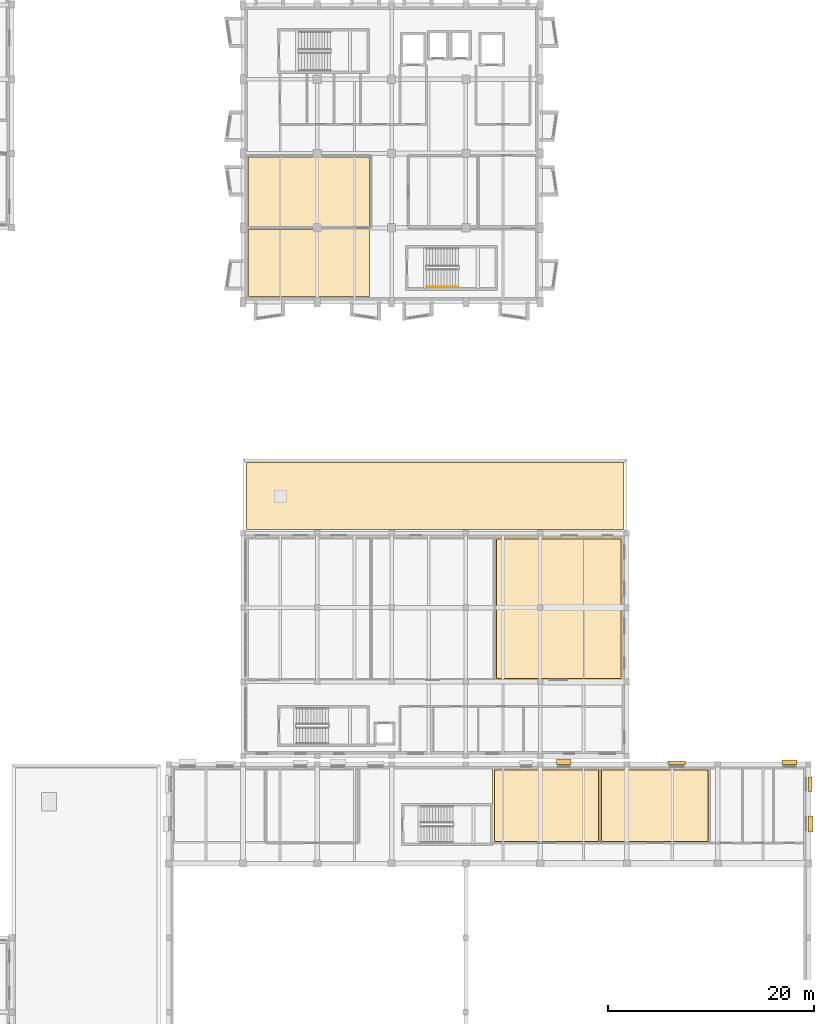
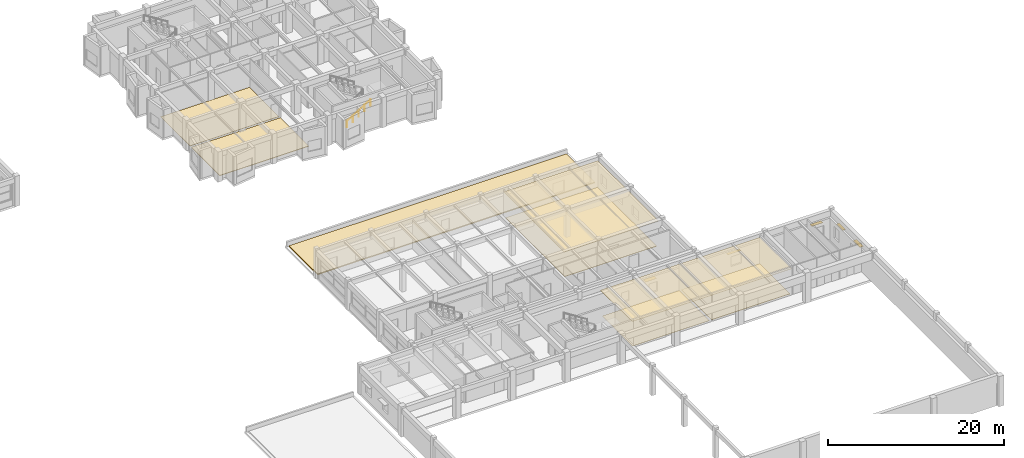
# One storey, part 66 of 67: 9 coverings, 5 shading devices, 1 railing.
"""IFC4 building model written with IfcOpenShell, lengths in metres."""

import ifcopenshell
import ifcopenshell.guid

model = None  # the IFC model being written
_history = None  # IfcOwnerHistory: only IFC2X3 demands one
_inside = {}  # id of a spatial element -> (the spatial element, [elements in it])
_under = {}  # id of a project, library or spatial element -> (it, [spatial elements below it])
_declared = {}  # id of a project -> (the project, [libraries it declares])
_typed = {}  # id of a type object -> (the type object, [elements of that type])
_made_of = {}  # id of a material, layer set ... -> (it, [elements and type objects made of it])


def new_model(schema):
    """Start an empty IFC model of exactly this schema.

    Asked for "IFC4X3", IfcOpenShell would pick the latest addendum, in which some entities
    have other attributes; the version numbers below select the first issue.
    IFC2X3 requires an IfcOwnerHistory on every rooted entity: one is made here for all.
    """
    global model, _history
    if schema == "IFC4X3":
        model = ifcopenshell.file(schema_version=(4, 3, 0, 0))
    else:
        model = ifcopenshell.file(schema=schema)
    _inside.clear()
    _under.clear()
    _declared.clear()
    _typed.clear()
    _made_of.clear()
    _history = None
    if model.schema == "IFC2X3":
        org = make("IfcOrganization", Name="unknown")
        user = make(
            "IfcPersonAndOrganization",
            ThePerson=make("IfcPerson", FamilyName="unknown"),
            TheOrganization=org,
        )
        app = make(
            "IfcApplication",
            ApplicationDeveloper=org,
            Version="unknown",
            ApplicationFullName="unknown",
            ApplicationIdentifier="unknown",
        )
        _history = make(
            "IfcOwnerHistory",
            OwningUser=user,
            OwningApplication=app,
            ChangeAction="ADDED",
            CreationDate=0,
        )
    return model


def make(cls, **values):
    """One entity of the class cls with the attributes given. An attribute that is None is left unset."""
    return model.create_entity(
        cls, **{name: value for name, value in values.items() if value is not None}
    )


def rooted(cls, **values):
    """An entity with a GlobalId (a new one), such as an element, a storey or a relation."""
    return make(cls, GlobalId=ifcopenshell.guid.new(), OwnerHistory=_history, **values)


def si_unit(unit_type, name, prefix=None):
    """IfcSIUnit, for example si_unit("LENGTHUNIT", "METRE", prefix="MILLI")."""
    return make("IfcSIUnit", UnitType=unit_type, Prefix=prefix, Name=name)


def assignment(units):
    """IfcUnitAssignment: the units of a project."""
    return None if units is None else make("IfcUnitAssignment", Units=units)


def point(xyz):
    """IfcCartesianPoint."""
    return None if xyz is None else make("IfcCartesianPoint", Coordinates=xyz)


def direction(xyz):
    """IfcDirection."""
    return None if xyz is None else make("IfcDirection", DirectionRatios=xyz)


def frame(location, z_axis=None, x_axis=None):
    """IfcAxis2Placement3D, a coordinate frame: its origin and axes. An axis left out is left unset."""
    return make(
        "IfcAxis2Placement3D",
        Location=point(location),
        Axis=direction(z_axis),
        RefDirection=direction(x_axis),
    )


def frame_2d(location, x_axis=None):
    """IfcAxis2Placement2D, a coordinate frame in the plane: its origin and x axis."""
    return make(
        "IfcAxis2Placement2D", Location=point(location), RefDirection=direction(x_axis)
    )


def origin():
    """The frame at (0, 0, 0) with its axes left unset."""
    return frame((0.0, 0.0, 0.0))


def origin_2d():
    """The frame at (0, 0) in the plane with its x axis left unset."""
    return frame_2d((0.0, 0.0))


def place(relative_to, where):
    """IfcLocalPlacement: puts the frame where relative to a parent placement (None: the world)."""
    return make(
        "IfcLocalPlacement", PlacementRelTo=relative_to, RelativePlacement=where
    )


def context(
    kind, dimensions, precision=None, world=None, true_north=None, identifier=None
):
    """IfcGeometricRepresentationContext, for example the 3D "Model" context."""
    return make(
        "IfcGeometricRepresentationContext",
        ContextIdentifier=identifier,
        ContextType=kind,
        CoordinateSpaceDimension=dimensions,
        Precision=precision,
        WorldCoordinateSystem=world,
        TrueNorth=true_north,
    )


def subcontext(parent, identifier, kind, view, scale=None):
    """IfcGeometricRepresentationSubContext, for example "Body" below "Model"."""
    return make(
        "IfcGeometricRepresentationSubContext",
        ContextIdentifier=identifier,
        ContextType=kind,
        ParentContext=parent,
        TargetScale=scale,
        TargetView=view,
    )


def project(units=None, contexts=None):
    """IfcProject with its units and contexts."""
    return rooted(
        "IfcProject",
        Name="project",
        RepresentationContexts=contexts,
        UnitsInContext=assignment(units),
    )


def spatial(cls, under=None, at=None, **own):
    """A site, building, storey or space (cls), placed at a placement, below another one or the project."""
    s = rooted(cls, ObjectPlacement=at, **own)
    if under is not None:
        _under.setdefault(under.id(), (under, []))[1].append(s)
    return s


def polyline(points):
    """IfcPolyline through the points."""
    return make("IfcPolyline", Points=[point(p) for p in points])


def profile(cls, at=None, kind="AREA", **sizes):
    """A parametric profile (cls). Its sizes go by their IFC names, for example OverallWidth=200.0."""
    return make(cls, ProfileType=kind, Position=at, **sizes)


def rectangle(**sizes):
    """IfcRectangleProfileDef."""
    return profile("IfcRectangleProfileDef", **sizes)


def circle(**sizes):
    """IfcCircleProfileDef."""
    return profile("IfcCircleProfileDef", **sizes)


def outline(outer, holes=None, kind="AREA"):
    """IfcArbitraryClosedProfileDef: a profile drawn as a closed curve; with holes, ...WithVoids."""
    if holes is None:
        return make("IfcArbitraryClosedProfileDef", ProfileType=kind, OuterCurve=outer)
    return make(
        "IfcArbitraryProfileDefWithVoids",
        ProfileType=kind,
        OuterCurve=outer,
        InnerCurves=holes,
    )


def extrude(swept, where, along, depth):
    """IfcExtrudedAreaSolid: the profile swept, set in the frame where, extruded along a direction by depth."""
    return make(
        "IfcExtrudedAreaSolid",
        SweptArea=swept,
        Position=where,
        ExtrudedDirection=direction(along),
        Depth=depth,
    )


def shape(context_of_items, identifier, shape_type, items):
    """IfcShapeRepresentation: the items that make up one representation, for example the "Body"."""
    return make(
        "IfcShapeRepresentation",
        ContextOfItems=context_of_items,
        RepresentationIdentifier=identifier,
        RepresentationType=shape_type,
        Items=items,
    )


def material(Name=None, Category=None):
    """IfcMaterial."""
    return make("IfcMaterial", Name=Name, Category=Category)


def layer(
    of_material, thickness, ventilated=None, Name=None, Category=None, Priority=None
):
    """IfcMaterialLayer: one layer of a wall or slab, of a material (None: an air gap)."""
    return make(
        "IfcMaterialLayer",
        Material=of_material,
        LayerThickness=thickness,
        IsVentilated=ventilated,
        Name=Name,
        Category=Category,
        Priority=Priority,
    )


def layer_set(layers, Name=None):
    """IfcMaterialLayerSet."""
    return make("IfcMaterialLayerSet", MaterialLayers=layers, LayerSetName=Name)


def made_of(thing, what):
    """Note that an element or type object is made of a material, layer set ...; save() writes the relation."""
    if what is not None:
        _made_of.setdefault(what.id(), (what, []))[1].append(thing)
    return thing


def type_object(cls, material=None, **own):
    """A type object (cls), such as IfcWallType, which elements share."""
    return made_of(rooted(cls, **own), material)


def element(
    cls,
    number,
    at=None,
    inside=None,
    cuts=None,
    type_object=None,
    material=None,
    context=None,
    identifier="Body",
    shape_type=None,
    held_by="IfcProductDefinitionShape",
    body=None,
    shapes=None,
    **own,
):
    """One element of the class cls, such as IfcWall. Its Tag is "e" and its number.

    at: its placement. inside: the storey or other place that contains it. cuts: it is an
    opening in that element (IfcRelVoidsElement). A single representation is given by context,
    identifier, shape_type and body (its items); several are given by shapes. held_by: the class
    of the entity that holds the representations. save() writes the other relations.
    """
    e = rooted(cls, Tag="e%d" % number, ObjectPlacement=at, **own)
    if body is not None:
        shapes = [shape(context, identifier, shape_type, body)]
    if shapes is not None:
        e.Representation = make(held_by, Representations=shapes)
    if inside is not None:
        _inside.setdefault(inside.id(), (inside, []))[1].append(e)
    if cuts is not None:
        rooted(
            "IfcRelVoidsElement", RelatingBuildingElement=cuts, RelatedOpeningElement=e
        )
    if type_object is not None:
        _typed.setdefault(type_object.id(), (type_object, []))[1].append(e)
    return made_of(e, material)


def aggregate(whole, parts):
    """IfcRelAggregates: a whole, such as a stair, and the parts it consists of."""
    return rooted("IfcRelAggregates", RelatingObject=whole, RelatedObjects=parts)


def save(model, path):
    """Write the relations noted so far, then the file.

    IfcRelAggregates (storeys below a building ...), IfcRelContainedInSpatialStructure (elements
    in a storey), IfcRelDefinesByType, IfcRelAssociatesMaterial and IfcRelDeclares: one each for
    every whole, place, type object, material and project.
    """
    for whole, parts in _under.values():
        aggregate(whole, parts)
    for where, things in _inside.values():
        rooted(
            "IfcRelContainedInSpatialStructure",
            RelatedElements=things,
            RelatingStructure=where,
        )
    for kind, things in _typed.values():
        rooted("IfcRelDefinesByType", RelatedObjects=things, RelatingType=kind)
    for what, things in _made_of.values():
        rooted("IfcRelAssociatesMaterial", RelatedObjects=things, RelatingMaterial=what)
    for by, libraries in _declared.values():
        rooted("IfcRelDeclares", RelatingContext=by, RelatedDefinitions=libraries)
    model.write(path)


model = new_model("IFC4")

# Units and contexts
model_context = context("Model", 3, precision=1e-05, world=origin(), true_north=direction((0.0, 1.0)))
body_context = subcontext(model_context, "Body", "Model", "MODEL_VIEW")
ifc_project = project(units=[si_unit("LENGTHUNIT", "METRE"), si_unit("AREAUNIT", "SQUARE_METRE"), si_unit("VOLUMEUNIT", "CUBIC_METRE"), si_unit("PLANEANGLEUNIT", "RADIAN"), si_unit("MASSUNIT", "GRAM", prefix="KILO")], contexts=[model_context])

# Site, building, storey
site_placement = place(None, origin())
site = spatial("IfcSite", under=ifc_project, at=site_placement, CompositionType="ELEMENT")
building_placement = place(site_placement, origin())
building = spatial("IfcBuilding", under=site, at=building_placement, Name="Bramveld Media Centre", CompositionType="ELEMENT")
storey_placement = place(building_placement, frame((0.0, 0.0, 5.39990234375)))
storey = spatial("IfcBuildingStorey", under=building, at=storey_placement, Name="L01", CompositionType="ELEMENT", Elevation=5.39990234375)

# Coverings
ifc_material_1 = material(Name="Perforated acoustic mineral-fibre & oak-slat suspended ceiling")
ifc_layer_1 = layer(ifc_material_1, 0.044921875)
ifc_layer_set_1 = layer_set([ifc_layer_1], Name="Perforated acoustic mineral-fibre & oak-slat suspended ceiling")
covering_type_1 = type_object("IfcCoveringType", Name="COV-CEIL-01", PredefinedType="CEILING", material=ifc_layer_set_1)
covering_1_placement = place(storey_placement, frame((0.0, 0.0, 3.545166015625)))
element("IfcCovering", 1, at=covering_1_placement, inside=storey, type_object=covering_type_1, Name="Digital Laser Projection & Audio Rack Room acoustic suspended ceiling", PredefinedType="CEILING", context=body_context, shape_type="SweptSolid", body=[
    extrude(outline(polyline([(165.800048828125, 30.800048828125), (176.39990234375, 30.800048828125), (176.39990234375, 38.0), (165.800048828125, 38.0), (165.800048828125, 30.800048828125)])), origin(), (0.0, 0.0, 1.0), 0.044921875),
])
covering_2_placement = place(storey_placement, frame((0.0, 0.0, 3.565185546875)))
element("IfcCovering", 2, at=covering_2_placement, inside=storey, type_object=covering_type_1, Name="Non-Linear Editing Suites 1-4 acoustic suspended ceiling", PredefinedType="CEILING", context=body_context, shape_type="SweptSolid", body=[
    extrude(outline(polyline([(155.60009765625, 46.60009765625), (168.0, 46.60009765625), (168.0, 60.39990234375), (155.60009765625, 60.39990234375), (155.60009765625, 46.60009765625)])), origin(), (0.0, 0.0, 1.0), 0.044921875),
])
ifc_material_2 = material(Name="Spring-isolated studio acoustic gypsum & mineral-wool ceiling")
ifc_layer_2 = layer(ifc_material_2, 0.06005859375)
ifc_layer_set_2 = layer_set([ifc_layer_2], Name="Spring-isolated studio acoustic gypsum & mineral-wool ceiling")
covering_type_2 = type_object("IfcCoveringType", Name="COV-CEIL-02", PredefinedType="CEILING", material=ifc_layer_set_2)
covering_3_placement = place(storey_placement, frame((0.0, 0.0, 3.530029296875)))
element("IfcCovering", 3, at=covering_3_placement, inside=storey, type_object=covering_type_2, Name="35mm & 70mm Archival Projection Booth 1 acoustic suspended ceiling", PredefinedType="CEILING", context=body_context, shape_type="SweptSolid", body=[
    extrude(outline(polyline([(155.39990234375, 30.800048828125), (165.800048828125, 30.800048828125), (165.800048828125, 38.0), (155.39990234375, 38.0), (155.39990234375, 30.800048828125)])), origin(), (0.0, 0.0, 1.0), 0.06005859375),
])
ifc_material_3 = material(Name="Floating acoustic screed with smoked European oak studio flooring")
ifc_layer_3 = layer(ifc_material_3, 0.06494140625)
ifc_layer_set_3 = layer_set([ifc_layer_3], Name="Floating acoustic screed with smoked European oak studio flooring")
covering_type_3 = type_object("IfcCoveringType", Name="COV-FLOOR-01", PredefinedType="FLOORING", material=ifc_layer_set_3)
covering_4_placement = place(storey_placement, origin())
element("IfcCovering", 4, at=covering_4_placement, inside=storey, type_object=covering_type_3, Name="Digital Laser Projection & Audio Rack Room finish flooring", PredefinedType="FLOORING", context=body_context, shape_type="SweptSolid", body=[
    extrude(outline(polyline([(165.949951171875, 30.949951171875), (176.25, 30.949951171875), (176.25, 37.85009765625), (165.949951171875, 37.85009765625), (165.949951171875, 30.949951171875)])), origin(), (0.0, 0.0, 1.0), 0.065185546875),
])
covering_5_placement = place(storey_placement, origin())
element("IfcCovering", 5, at=covering_5_placement, inside=storey, type_object=covering_type_3, Name="Editorial Production Circulation Lobby finish flooring", PredefinedType="FLOORING", context=body_context, shape_type="SweptSolid", body=[
    extrude(outline(polyline([(131.75, 83.75), (143.449951171875, 83.75), (143.449951171875, 90.25), (131.75, 90.25), (131.75, 83.75)])), origin(), (0.0, 0.0, 1.0), 0.065185546875),
])
ifc_material_4 = material(Name="Honed Belgian bluestone (petit granit) public concourse flooring", Category="masonry")
ifc_layer_4 = layer(ifc_material_4, 0.050048828125)
ifc_layer_set_4 = layer_set([ifc_layer_4], Name="Honed Belgian bluestone (petit granit) public concourse flooring")
covering_type_4 = type_object("IfcCoveringType", Name="COV-FLOOR-02", PredefinedType="FLOORING", material=ifc_layer_set_4)
covering_6_placement = place(storey_placement, origin())
element("IfcCovering", 6, at=covering_6_placement, inside=storey, type_object=covering_type_4, Name="Non-Linear Editing Suites 1-4 finish flooring", PredefinedType="FLOORING", context=body_context, shape_type="SweptSolid", body=[
    extrude(outline(polyline([(155.75, 46.75), (167.85009765625, 46.75), (167.85009765625, 60.25), (155.75, 60.25), (155.75, 46.75)])), origin(), (0.0, 0.0, 1.0), 0.050048828125),
])
covering_7_placement = place(storey_placement, origin())
element("IfcCovering", 7, at=covering_7_placement, inside=storey, type_object=covering_type_4, Name="Newsroom & Investigative Media Desk finish flooring", PredefinedType="FLOORING", context=body_context, shape_type="SweptSolid", body=[
    extrude(outline(polyline([(131.75, 90.550048828125), (143.449951171875, 90.550048828125), (143.449951171875, 97.25), (131.75, 97.25), (131.75, 90.550048828125)])), origin(), (0.0, 0.0, 1.0), 0.050048828125),
])
ifc_material_5 = material(Name="Anti-static acoustic linoleum editing & vault flooring")
ifc_layer_5 = layer(ifc_material_5, 0.0400390625)
ifc_layer_set_5 = layer_set([ifc_layer_5], Name="Anti-static acoustic linoleum editing & vault flooring")
covering_type_5 = type_object("IfcCoveringType", Name="COV-FLOOR-03", PredefinedType="FLOORING", material=ifc_layer_set_5)
covering_8_placement = place(storey_placement, origin())
element("IfcCovering", 8, at=covering_8_placement, inside=storey, type_object=covering_type_5, Name="35mm & 70mm Archival Projection Booth 1 finish flooring", PredefinedType="FLOORING", context=body_context, shape_type="SweptSolid", body=[
    extrude(outline(polyline([(155.550048828125, 30.949951171875), (165.64990234375, 30.949951171875), (165.64990234375, 37.85009765625), (155.550048828125, 37.85009765625), (155.550048828125, 30.949951171875)])), origin(), (0.0, 0.0, 1.0), 0.0400390625),
])
ifc_material_6 = material(Name="Vegetated extensive green-roof substrate and EPDM membrane")
ifc_layer_6 = layer(ifc_material_6, 0.139892578125)
ifc_layer_set_6 = layer_set([ifc_layer_6], Name="Vegetated extensive green-roof substrate and EPDM membrane")
covering_type_6 = type_object("IfcCoveringType", Name="COV-ROOF-GREEN", PredefinedType="ROOFING", material=ifc_layer_set_6)
covering_9_placement = place(storey_placement, origin())
element("IfcCovering", 9, at=covering_9_placement, inside=storey, type_object=covering_type_6, Name="V4 L01 vegetated green roof covering", PredefinedType="ROOFING", context=body_context, shape_type="SweptSolid", body=[
    extrude(outline(polyline([(131.550048828125, 61.14990234375), (168.050048828125, 61.14990234375), (168.050048828125, 67.64990234375), (131.550048828125, 67.64990234375), (131.550048828125, 61.14990234375)])), origin(), (0.0, 0.0, 1.0), 0.14013671875),
])

# Railing
ifc_material_7 = material(Name="Brushed stainless steel tubular stair handrail", Category="steel")
railing_type = type_object("IfcRailingType", Name="RAIL-STAIR-HAND-0920", PredefinedType="HANDRAIL", material=ifc_material_7)
railing_placement = place(storey_placement, frame((149.0, 84.64990234375, 0.175048828125)))
element("IfcRailing", 10, at=railing_placement, inside=storey, type_object=railing_type, Name="L01 ST-02 stair handrail 1", PredefinedType="HANDRAIL", context=body_context, shape_type="SweptSolid", body=[
    extrude(circle(Radius=0.02392578125, at=origin_2d()), frame((0.0, 0.0, 0.8759765625), z_axis=(0.847998304005, 0.0, 0.529998940003), x_axis=(0.0, 1.0, 0.0)), (0.0, 0.0, 1.0), 3.632080078125),
    extrude(circle(Radius=0.02099609375, at=origin_2d()), origin(), (0.0, 0.0, 1.0), 0.851806640625),
    extrude(circle(Radius=0.02099609375, at=origin_2d()), frame((0.77001953125, 0.0, 0.481201171875)), (0.0, 0.0, 1.0), 0.851806640625),
    extrude(circle(Radius=0.02099609375, at=origin_2d()), frame((1.5400390625, 0.0, 0.96240234375)), (0.0, 0.0, 1.0), 0.851806640625),
    extrude(circle(Radius=0.02099609375, at=origin_2d()), frame((2.31005859375, 0.0, 1.44384765625)), (0.0, 0.0, 1.0), 0.851806640625),
    extrude(circle(Radius=0.02099609375, at=origin_2d()), frame((3.080078125, 0.0, 1.925048828125)), (0.0, 0.0, 1.0), 0.851806640625),
])

# Shading devices
ifc_material_8 = material(Name="Anodized bronze extruded aluminium solar shading fin", Category="aluminium")
shading_device_type_1 = type_object("IfcShadingDeviceType", Name="SHD-BRISE-350", PredefinedType="JALOUSIE", material=ifc_material_8)
shading_device_1_placement = place(storey_placement, frame((186.175048828125, 36.47998046875, 2.510009765625), z_axis=(0.0, 0.0, 1.0), x_axis=(1.0, 0.0, 0.0)))
element("IfcShadingDevice", 11, at=shading_device_1_placement, inside=storey, type_object=shading_device_type_1, Name="Bronze solar shading fin 18", PredefinedType="JALOUSIE", context=body_context, shape_type="SweptSolid", body=[
    extrude(rectangle(XDim=0.35009765625, YDim=1.449951171875, at=origin_2d()), origin(), (0.0, 0.0, 1.0), 0.06005859375),
])
shading_device_2_placement = place(storey_placement, frame((173.2353515625, 38.574951171875, 2.260009765625), z_axis=(0.0, 0.0, 1.0), x_axis=(1.0, 0.0, 0.0)))
element("IfcShadingDevice", 12, at=shading_device_2_placement, inside=storey, type_object=shading_device_type_1, Name="Bronze solar shading fin 27", PredefinedType="JALOUSIE", context=body_context, shape_type="SweptSolid", body=[
    extrude(rectangle(XDim=1.699951171875, YDim=0.35009765625, at=origin_2d()), origin(), (0.0, 0.0, 1.0), 0.06005859375),
])
ifc_material_9 = material(Name="Anodized bronze extruded aluminium solar shading fin", Category="aluminium")
shading_device_type_2 = type_object("IfcShadingDeviceType", Name="SHD-BRISE-450", PredefinedType="JALOUSIE", material=ifc_material_9)
shading_device_3_placement = place(storey_placement, frame((186.22509765625, 32.639892578125, 2.510009765625), z_axis=(0.0, 0.0, 1.0), x_axis=(1.0, 0.0, 0.0)))
element("IfcShadingDevice", 13, at=shading_device_3_placement, inside=storey, type_object=shading_device_type_2, Name="Bronze solar shading fin 19", PredefinedType="JALOUSIE", context=body_context, shape_type="SweptSolid", body=[
    extrude(rectangle(XDim=0.449951171875, YDim=1.550048828125, at=origin_2d()), origin(), (0.0, 0.0, 1.0), 0.06005859375),
])
shading_device_4_placement = place(storey_placement, frame((184.176513671875, 38.625, 2.360107421875), z_axis=(0.0, 0.0, 1.0), x_axis=(1.0, 0.0, 0.0)))
element("IfcShadingDevice", 14, at=shading_device_4_placement, inside=storey, type_object=shading_device_type_2, Name="Bronze solar shading fin 28", PredefinedType="JALOUSIE", context=body_context, shape_type="SweptSolid", body=[
    extrude(rectangle(XDim=1.449951171875, YDim=0.449951171875, at=origin_2d()), origin(), (0.0, 0.0, 1.0), 0.06005859375),
])
ifc_material_10 = material(Name="Anodized bronze extruded aluminium solar shading fin", Category="aluminium")
shading_device_type_3 = type_object("IfcShadingDeviceType", Name="SHD-BRISE-550", PredefinedType="JALOUSIE", material=ifc_material_10)
shading_device_5_placement = place(storey_placement, frame((162.294189453125, 38.675048828125, 2.260009765625), z_axis=(0.0, 0.0, 1.0), x_axis=(1.0, 0.0, 0.0)))
element("IfcShadingDevice", 15, at=shading_device_5_placement, inside=storey, type_object=shading_device_type_3, Name="Bronze solar shading fin 26", PredefinedType="JALOUSIE", context=body_context, shape_type="SweptSolid", body=[
    extrude(rectangle(XDim=1.39990234375, YDim=0.550048828125, at=origin_2d()), origin(), (0.0, 0.0, 1.0), 0.06005859375),
])

save(model, "model.ifc")
